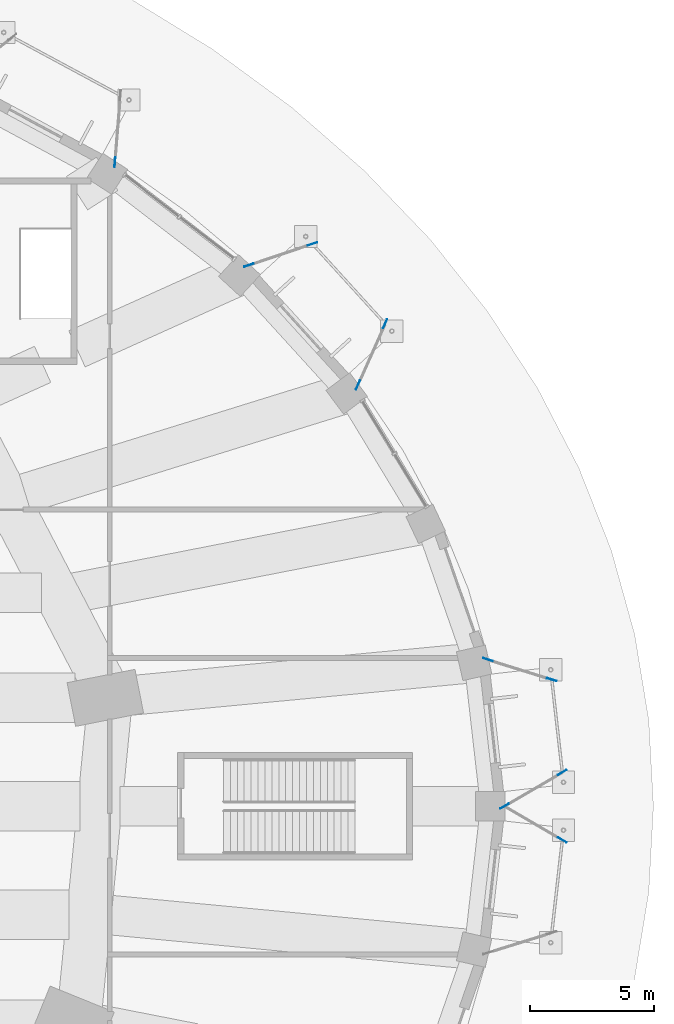
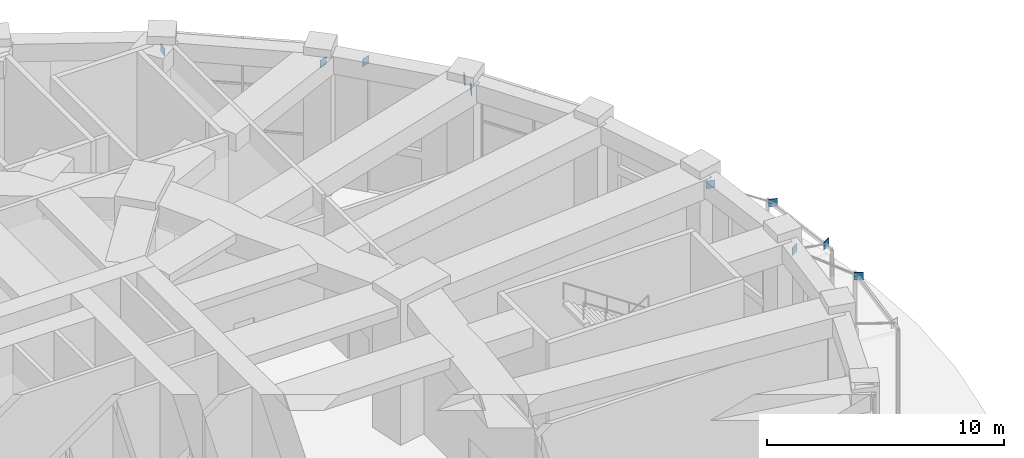
# One storey, part 48 of 60: 10 discrete accessories.
"""IFC4 building model written with IfcOpenShell, lengths in metres."""

from ifc_helpers import new_model, si_unit, direction, frame, origin, origin_2d, place, context, subcontext, project, spatial, rectangle, extrude, material, type_object, element, save


model = new_model("IFC4")

# Units and contexts
model_context = context("Model", 3, precision=1e-05, world=origin(), true_north=direction((0.0, 1.0)))
body_context = subcontext(model_context, "Body", "Model", "MODEL_VIEW")
ifc_project = project(units=[si_unit("LENGTHUNIT", "METRE"), si_unit("AREAUNIT", "SQUARE_METRE"), si_unit("VOLUMEUNIT", "CUBIC_METRE"), si_unit("PLANEANGLEUNIT", "RADIAN"), si_unit("MASSUNIT", "GRAM", prefix="KILO")], contexts=[model_context])

# Site, building, storey
site_placement = place(None, origin())
site = spatial("IfcSite", under=ifc_project, at=site_placement, CompositionType="ELEMENT")
building_placement = place(site_placement, origin())
building = spatial("IfcBuilding", under=site, at=building_placement, Name="Taillehof Tower", CompositionType="ELEMENT")
storey_placement = place(building_placement, origin())
storey = spatial("IfcBuildingStorey", under=building, at=storey_placement, Name="L00", CompositionType="ELEMENT", Elevation=0.0)

# Discrete accessories
ifc_material = material(Name="Steel S460M", Category="steel")
discrete_accessory_type = type_object("IfcDiscreteAccessoryType", Name="Steel gusset plate", PredefinedType="BRACKET", material=ifc_material)
for number, where, z_axis, x_axis, name in (
    (1, (28.2099609375, 26.06005859375, 5.800048828125), (0.0, 0.0, 1.0), (-0.081679326265, -0.996658661559, 0.0), "Gusset plate 055"),
    (2, (33.6298828125, 21.889892578125, 5.800048828125), (0.0, 0.0, 1.0), (-0.947625803024, -0.319382744437, 0.0), "Gusset plate 059"),
    (3, (36.199951171875, 22.75, 4.43994140625), (0.0, 0.0, 1.0), (-0.947625803024, -0.319382744437, 0.0), "Gusset plate 061"),
    (4, (38.0400390625, 17.0400390625, 5.800048828125), (0.0, 0.0, 1.0), (-0.406758965081, -0.913535518919, 0.0), "Gusset plate 063"),
    (5, (39.139892578125, 19.52001953125, 4.43994140625), (0.0, 0.0, 1.0), (-0.406758965081, -0.913535518919, 0.0), "Gusset plate 065"),
    (6, (43.300048828125, 5.929931640625, 5.800048828125), (0.0, 0.0, 1.0), (-0.954819948549, 0.29718490179, 0.0), "Gusset plate 067"),
    (7, (43.969970703125, 0.0, 5.800048828125), (0.0, 0.0, 1.0), (-0.863694791291, -0.50401518578, 0.0), "Gusset plate 068"),
    (8, (45.8798828125, 5.1201171875, 4.43994140625), (0.0, 0.0, 1.0), (-0.954819948549, 0.29718490179, 0.0), "Gusset plate 070"),
    (9, (46.31005859375, -1.3701171875, 4.43994140625), (0.0, 0.0, 1.0), (-0.863694791291, 0.50401518578, 0.0), "Gusset plate 071"),
    (10, (46.31005859375, 1.3701171875, 4.43994140625), (0.0, 0.0, 1.0), (-0.863694791291, -0.50401518578, 0.0), "Gusset plate 072"),
):
    element("IfcDiscreteAccessory", number, at=place(storey_placement, frame(where, z_axis=z_axis, x_axis=x_axis)), inside=storey, type_object=discrete_accessory_type, Name=name, PredefinedType="BRACKET", context=body_context, shape_type="SweptSolid", body=[
        extrude(rectangle(XDim=0.39990234375, YDim=0.02490234375, at=origin_2d()), origin(), (0.0, 0.0, 1.0), 0.39990234375),
    ])

save(model, "model.ifc")
